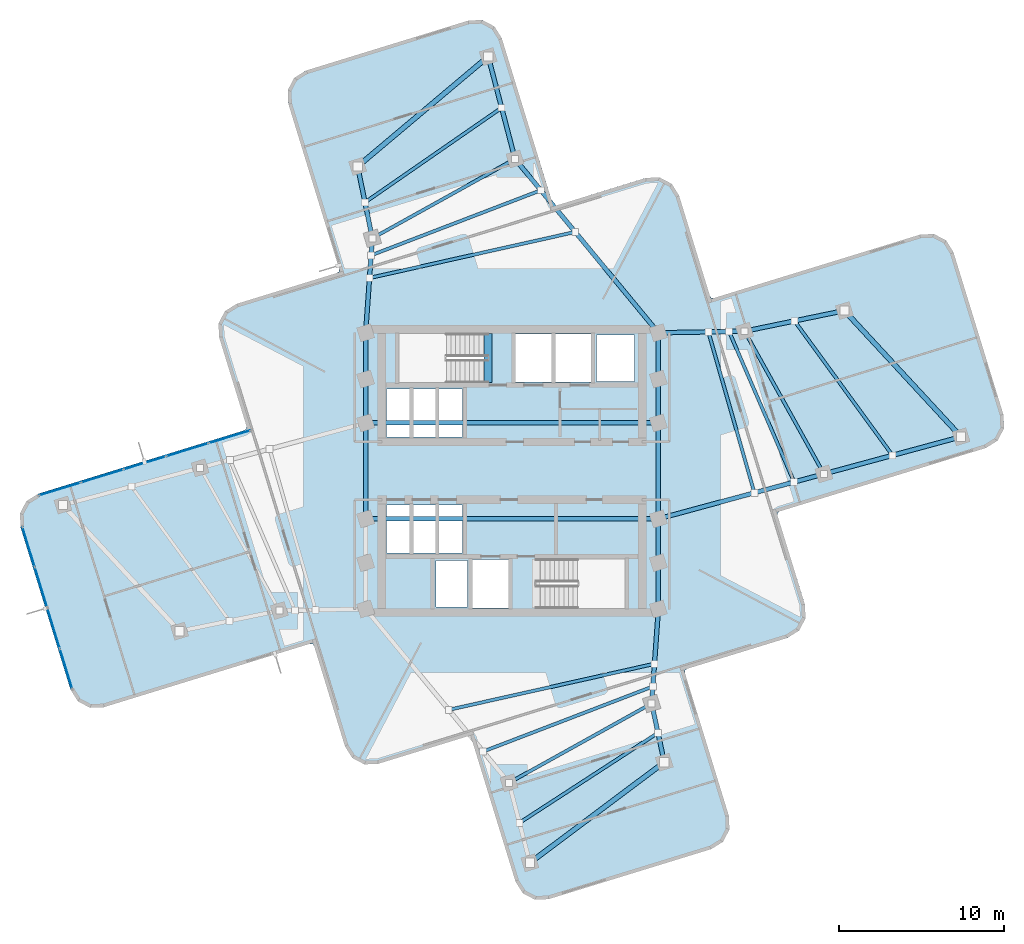
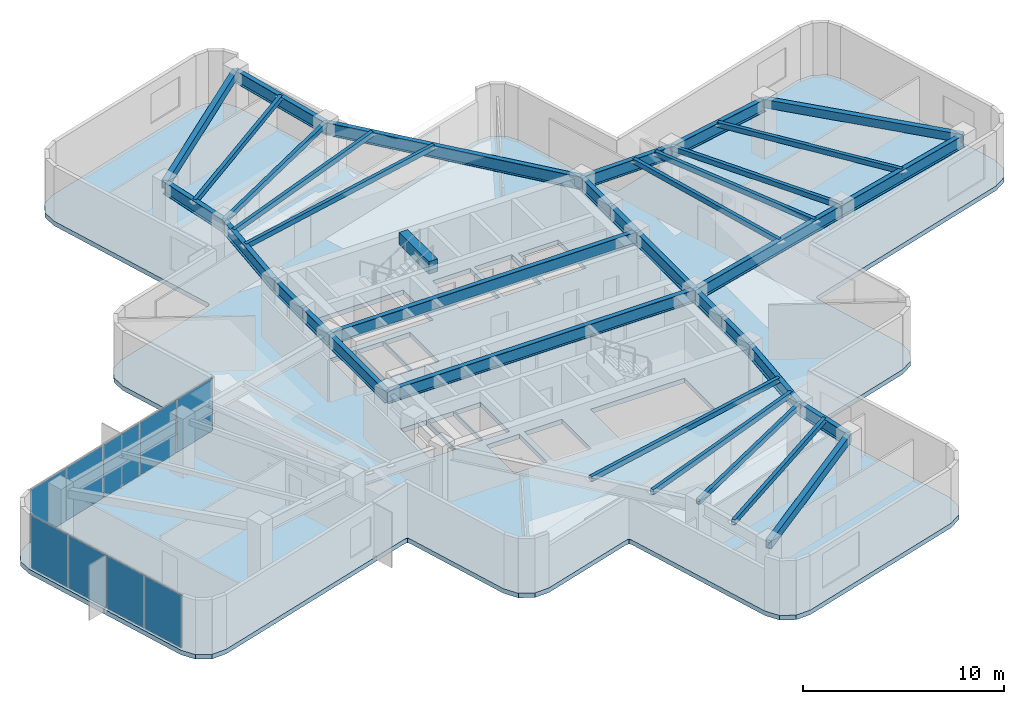
# One storey, part 4 of 10: 36 beams, 9 plates, 1 slab, 2 elements without a shape of their own.
"""IFC4 building model written with IfcOpenShell, lengths in metres."""

from ifc_helpers import new_model, si_unit, direction, frame, origin, origin_2d, place, context, subcontext, project, spatial, polyline, rectangle, hollow_rectangle, i_section, outline, extrude, material, layer, layer_set, material_profile, profile_set, type_object, element, aggregate, save


model = new_model("IFC4")

# Units and contexts
model_context = context("Model", 3, precision=1e-05, world=origin(), true_north=direction((0.0, 1.0)))
body_context = subcontext(model_context, "Body", "Model", "MODEL_VIEW")
ifc_project = project(units=[si_unit("LENGTHUNIT", "METRE"), si_unit("AREAUNIT", "SQUARE_METRE"), si_unit("VOLUMEUNIT", "CUBIC_METRE"), si_unit("PLANEANGLEUNIT", "RADIAN"), si_unit("MASSUNIT", "GRAM", prefix="KILO")], contexts=[model_context])

# Site, building, storey
site_placement = place(None, origin())
site = spatial("IfcSite", under=ifc_project, at=site_placement, CompositionType="ELEMENT")
building_placement = place(site_placement, origin())
building = spatial("IfcBuilding", under=site, at=building_placement, Name="Solmarez Civic Tower", CompositionType="ELEMENT")
storey_placement = place(building_placement, frame((0.0, 0.0, 148.679931640625)))
storey = spatial("IfcBuildingStorey", under=building, at=storey_placement, Name="L39", CompositionType="ELEMENT", Elevation=148.679931640625)

# Beams
ifc_material_1 = material(Name="Steel S355", Category="steel")
ifc_material_profile_1 = material_profile(ifc_material_1, hollow_rectangle(XDim=0.199951171875, YDim=0.300048828125, WallThickness=0.011962890625, at=origin_2d()), Name="HSS300X200X12")
ifc_profile_set_1 = profile_set([ifc_material_profile_1], Name="Steel S355")
beam_type_1 = type_object("IfcBeamType", Name="BM-JS-HSS300X200", PredefinedType="JOIST", material=ifc_profile_set_1)
beam_1_placement = place(storey_placement, frame((18.860107421875, -0.18310546875, 3.170166015625), z_axis=(-0.485852902718, 0.874040592261, 0.0), x_axis=(-0.874040592261, -0.485852902718, 0.0)))
element("IfcBeam", 1, at=beam_1_placement, inside=storey, type_object=beam_type_1, Name="L39 Secondary Floor Joist BM-L39-EA-T1", PredefinedType="JOIST", context=body_context, shape_type="SweptSolid", body=[
    extrude(hollow_rectangle(XDim=0.199951171875, YDim=0.300048828125, WallThickness=0.011962890625, at=origin_2d()), origin(), (0.0, 0.0, 1.0), 9.87158203125),
])
beam_2_placement = place(storey_placement, frame((23.006103515625, 0.94091796875, 3.170166015625), z_axis=(-0.589058914091, 0.808090091345, 0.0), x_axis=(-0.808090091345, -0.589058914091, 0.0)))
element("IfcBeam", 2, at=beam_2_placement, inside=storey, type_object=beam_type_1, Name="L39 Secondary Floor Joist JS-L39-EA-M2", PredefinedType="JOIST", context=body_context, shape_type="SweptSolid", body=[
    extrude(hollow_rectangle(XDim=0.199951171875, YDim=0.300048828125, WallThickness=0.011962890625, at=origin_2d()), origin(), (0.0, 0.0, 1.0), 10.05859375),
])
beam_3_placement = place(storey_placement, frame((14.656005859375, -1.323974609375, 3.170166015625), z_axis=(-0.27492825036, 0.961464745664, 0.0), x_axis=(-0.961464745664, -0.27492825036, 0.0)))
element("IfcBeam", 3, at=beam_3_placement, inside=storey, type_object=beam_type_1, Name="L39 Secondary Floor Joist JS-L39-EA-M11", PredefinedType="JOIST", context=body_context, shape_type="SweptSolid", body=[
    extrude(hollow_rectangle(XDim=0.199951171875, YDim=0.300048828125, WallThickness=0.011962890625, at=origin_2d()), origin(), (0.0, 0.0, 1.0), 10.118896484375),
])
beam_4_placement = place(storey_placement, frame((17.05810546875, -0.672119140625, 3.170166015625), z_axis=(-0.396735074316, 0.917933157048, 0.0), x_axis=(-0.917933157048, -0.396735074316, 0.0)))
element("IfcBeam", 4, at=beam_4_placement, inside=storey, type_object=beam_type_1, Name="L39 Secondary Floor Joist JS-L39-EA-M12", PredefinedType="JOIST", context=body_context, shape_type="SweptSolid", body=[
    extrude(hollow_rectangle(XDim=0.199951171875, YDim=0.300048828125, WallThickness=0.011962890625, at=origin_2d()), origin(), (0.0, 0.0, 1.0), 9.91357421875),
])
beam_5_placement = place(storey_placement, frame((0.18310546875, 18.860107421875, 3.170166015625), z_axis=(-0.874040592261, -0.485852902718, 0.0), x_axis=(0.485852902718, -0.874040592261, 0.0)))
element("IfcBeam", 5, at=beam_5_placement, inside=storey, type_object=beam_type_1, Name="L39 Secondary Floor Joist BM-L39-NA-T1", PredefinedType="JOIST", context=body_context, shape_type="SweptSolid", body=[
    extrude(hollow_rectangle(XDim=0.199951171875, YDim=0.300048828125, WallThickness=0.011962890625, at=origin_2d()), origin(), (0.0, 0.0, 1.0), 9.87158203125),
])
beam_6_placement = place(storey_placement, frame((-0.626953125, 21.9560546875, 3.170166015625), z_axis=(-0.822185194468, -0.56922008573, 0.0), x_axis=(0.56922008573, -0.822185194468, 0.0)))
element("IfcBeam", 6, at=beam_6_placement, inside=storey, type_object=beam_type_1, Name="L39 Secondary Floor Joist JS-L39-NA-M2", PredefinedType="JOIST", context=body_context, shape_type="SweptSolid", body=[
    extrude(hollow_rectangle(XDim=0.199951171875, YDim=0.300048828125, WallThickness=0.011962890625, at=origin_2d()), origin(), (0.0, 0.0, 1.0), 10.048828125),
])
beam_7_placement = place(storey_placement, frame((3.822998046875, 14.446044921875, 3.170166015625), z_axis=(-0.975887310906, -0.218274955988, 0.0), x_axis=(0.218274955988, -0.975887310906, 0.0)))
element("IfcBeam", 7, at=beam_7_placement, inside=storey, type_object=beam_type_1, Name="L39 Secondary Floor Joist JS-L39-NA-M11", PredefinedType="JOIST", context=body_context, shape_type="SweptSolid", body=[
    extrude(hollow_rectangle(XDim=0.199951171875, YDim=0.300048828125, WallThickness=0.011962890625, at=origin_2d()), origin(), (0.0, 0.0, 1.0), 12.745361328125),
])
beam_8_placement = place(storey_placement, frame((1.742919921875, 16.968017578125, 3.170166015625), z_axis=(-0.933754408709, -0.357914381125, 0.0), x_axis=(0.357914381125, -0.933754408709, 0.0)))
element("IfcBeam", 8, at=beam_8_placement, inside=storey, type_object=beam_type_1, Name="L39 Secondary Floor Joist JS-L39-NA-M12", PredefinedType="JOIST", context=body_context, shape_type="SweptSolid", body=[
    extrude(hollow_rectangle(XDim=0.199951171875, YDim=0.300048828125, WallThickness=0.011962890625, at=origin_2d()), origin(), (0.0, 0.0, 1.0), 10.989013671875),
])
beam_9_placement = place(storey_placement, frame((-0.18310546875, -18.860107421875, 3.170166015625), z_axis=(0.874040592261, 0.485852902718, 0.0), x_axis=(-0.485852902718, 0.874040592261, 0.0)))
element("IfcBeam", 9, at=beam_9_placement, inside=storey, type_object=beam_type_1, Name="L39 Secondary Floor Joist BM-L39-SA-T1", PredefinedType="JOIST", context=body_context, shape_type="SweptSolid", body=[
    extrude(hollow_rectangle(XDim=0.199951171875, YDim=0.300048828125, WallThickness=0.011962890625, at=origin_2d()), origin(), (0.0, 0.0, 1.0), 9.87158203125),
])
beam_10_placement = place(storey_placement, frame((0.449951171875, -21.279052734375, 3.170166015625), z_axis=(0.83864684805, 0.54467555871, 0.0), x_axis=(-0.54467555871, 0.83864684805, 0.0)))
element("IfcBeam", 10, at=beam_10_placement, inside=storey, type_object=beam_type_1, Name="L39 Secondary Floor Joist JS-L39-SA-M2", PredefinedType="JOIST", context=body_context, shape_type="SweptSolid", body=[
    extrude(hollow_rectangle(XDim=0.199951171875, YDim=0.300048828125, WallThickness=0.011962890625, at=origin_2d()), origin(), (0.0, 0.0, 1.0), 9.987548828125),
])
beam_11_placement = place(storey_placement, frame((-3.822998046875, -14.446044921875, 3.170166015625), z_axis=(0.975887310906, 0.218274955988, 0.0), x_axis=(-0.218274955988, 0.975887310906, 0.0)))
element("IfcBeam", 11, at=beam_11_placement, inside=storey, type_object=beam_type_1, Name="L39 Secondary Floor Joist JS-L39-SA-M11", PredefinedType="JOIST", context=body_context, shape_type="SweptSolid", body=[
    extrude(hollow_rectangle(XDim=0.199951171875, YDim=0.300048828125, WallThickness=0.011962890625, at=origin_2d()), origin(), (0.0, 0.0, 1.0), 12.745361328125),
])
beam_12_placement = place(storey_placement, frame((-1.742919921875, -16.968017578125, 3.170166015625), z_axis=(0.933754408709, 0.357914381125, 0.0), x_axis=(-0.357914381125, 0.933754408709, 0.0)))
element("IfcBeam", 12, at=beam_12_placement, inside=storey, type_object=beam_type_1, Name="L39 Secondary Floor Joist JS-L39-SA-M12", PredefinedType="JOIST", context=body_context, shape_type="SweptSolid", body=[
    extrude(hollow_rectangle(XDim=0.199951171875, YDim=0.300048828125, WallThickness=0.011962890625, at=origin_2d()), origin(), (0.0, 0.0, 1.0), 10.989013671875),
])
ifc_material_2 = material(Name="Concrete C50/60", Category="concrete")
ifc_material_profile_2 = material_profile(ifc_material_2, rectangle(XDim=0.5, YDim=0.75, at=origin_2d()), Name="RC500X750")
ifc_profile_set_2 = profile_set([ifc_material_profile_2], Name="Concrete C50/60")
beam_type_2 = type_object("IfcBeamType", Name="BM-PR-RC500X750", PredefinedType="BEAM", material=ifc_profile_set_2)
beam_13_placement = place(storey_placement, frame((-1.449951171875, 5.340087890625, 3.233154296875), z_axis=(0.0, 1.0, 0.0), x_axis=(-1.0, 0.0, 0.0)))
element("IfcBeam", 13, at=beam_13_placement, inside=storey, type_object=beam_type_2, Name="L39 North Stair Threshold Beam", PredefinedType="BEAM", context=body_context, shape_type="SweptSolid", body=[
    extrude(rectangle(XDim=0.5, YDim=0.75, at=origin_2d()), origin(), (0.0, 0.0, 1.0), 2.9599609375),
])
ifc_material_profile_3 = material_profile(ifc_material_1, i_section(OverallWidth=0.26708984375, OverallDepth=0.761962890625, WebThickness=0.014404296875, FlangeThickness=0.021484375, at=origin_2d()), Name="W30X116")
ifc_profile_set_3 = profile_set([ifc_material_profile_3], Name="Steel S355")
beam_type_3 = type_object("IfcBeamType", Name="BM-PR-W30X116", PredefinedType="BEAM", material=ifc_profile_set_3)
beam_14_placement = place(storey_placement, frame((-8.85009765625, -2.89990234375, 2.93896484375), z_axis=(0.0, 1.0, 0.0), x_axis=(-1.0, 0.0, 0.0)))
element("IfcBeam", 14, at=beam_14_placement, inside=storey, type_object=beam_type_3, Name="L39 Primary Floor Beam BM-L39-HC2-HC3", PredefinedType="BEAM", context=body_context, shape_type="SweptSolid", body=[
    extrude(i_section(OverallWidth=0.26708984375, OverallDepth=0.761962890625, WebThickness=0.014404296875, FlangeThickness=0.021484375, at=origin_2d()), origin(), (0.0, 0.0, 1.0), 5.7998046875),
])
beam_15_placement = place(storey_placement, frame((-8.85009765625, 2.89990234375, 2.93896484375), z_axis=(0.0, 1.0, 0.0), x_axis=(-1.0, 0.0, 0.0)))
element("IfcBeam", 15, at=beam_15_placement, inside=storey, type_object=beam_type_3, Name="L39 Primary Floor Beam BM-L39-HC3-HC4", PredefinedType="BEAM", context=body_context, shape_type="SweptSolid", body=[
    extrude(i_section(OverallWidth=0.26708984375, OverallDepth=0.761962890625, WebThickness=0.014404296875, FlangeThickness=0.021484375, at=origin_2d()), origin(), (0.0, 0.0, 1.0), 2.650146484375),
])
for number, where, z_axis, x_axis, name in (
    (16, (-8.85009765625, 5.550048828125, 2.93896484375), (0.0, 1.0, 0.0), (-1.0, 0.0, 0.0), "L39 Primary Floor Beam BM-L39-HC4-HC9"),
    (17, (8.85009765625, -8.35009765625, 2.93896484375), (0.0, 1.0, 0.0), (-1.0, 0.0, 0.0), "L39 Primary Floor Beam BM-L39-HC10-HC5"),
):
    element("IfcBeam", number, at=place(storey_placement, frame(where, z_axis=z_axis, x_axis=x_axis)), inside=storey, type_object=beam_type_3, Name=name, PredefinedType="BEAM", context=body_context, shape_type="SweptSolid", body=[
        extrude(i_section(OverallWidth=0.26708984375, OverallDepth=0.761962890625, WebThickness=0.014404296875, FlangeThickness=0.021484375, at=origin_2d()), origin(), (0.0, 0.0, 1.0), 2.800048828125),
    ])
beam_16_placement = place(storey_placement, frame((8.85009765625, -5.550048828125, 2.93896484375), z_axis=(0.0, 1.0, 0.0), x_axis=(-1.0, 0.0, 0.0)))
element("IfcBeam", 18, at=beam_16_placement, inside=storey, type_object=beam_type_3, Name="L39 Primary Floor Beam BM-L39-HC5-HC6", PredefinedType="BEAM", context=body_context, shape_type="SweptSolid", body=[
    extrude(i_section(OverallWidth=0.26708984375, OverallDepth=0.761962890625, WebThickness=0.014404296875, FlangeThickness=0.021484375, at=origin_2d()), origin(), (0.0, 0.0, 1.0), 2.650146484375),
])
beam_17_placement = place(storey_placement, frame((8.85009765625, -2.89990234375, 2.93896484375), z_axis=(0.0, 1.0, 0.0), x_axis=(-1.0, 0.0, 0.0)))
element("IfcBeam", 19, at=beam_17_placement, inside=storey, type_object=beam_type_3, Name="L39 Primary Floor Beam BM-L39-HC6-HC7", PredefinedType="BEAM", context=body_context, shape_type="SweptSolid", body=[
    extrude(i_section(OverallWidth=0.26708984375, OverallDepth=0.761962890625, WebThickness=0.014404296875, FlangeThickness=0.021484375, at=origin_2d()), origin(), (0.0, 0.0, 1.0), 5.7998046875),
])
beam_18_placement = place(storey_placement, frame((8.85009765625, 2.89990234375, 2.93896484375), z_axis=(0.0, 1.0, 0.0), x_axis=(-1.0, 0.0, 0.0)))
element("IfcBeam", 20, at=beam_18_placement, inside=storey, type_object=beam_type_3, Name="L39 Primary Floor Beam BM-L39-HC7-HC8", PredefinedType="BEAM", context=body_context, shape_type="SweptSolid", body=[
    extrude(i_section(OverallWidth=0.26708984375, OverallDepth=0.761962890625, WebThickness=0.014404296875, FlangeThickness=0.021484375, at=origin_2d()), origin(), (0.0, 0.0, 1.0), 2.650146484375),
])
beam_19_placement = place(storey_placement, frame((8.85009765625, 5.550048828125, 2.93896484375), z_axis=(0.0, 1.0, 0.0), x_axis=(-1.0, 0.0, 0.0)))
element("IfcBeam", 21, at=beam_19_placement, inside=storey, type_object=beam_type_3, Name="L39 Primary Floor Beam BM-L39-HC8-HC11", PredefinedType="BEAM", context=body_context, shape_type="SweptSolid", body=[
    extrude(i_section(OverallWidth=0.26708984375, OverallDepth=0.761962890625, WebThickness=0.014404296875, FlangeThickness=0.021484375, at=origin_2d()), origin(), (0.0, 0.0, 1.0), 2.800048828125),
])
for number, where, z_axis, x_axis, name in (
    (22, (-8.85009765625, -2.89990234375, 2.93896484375), (1.0, 0.0, 0.0), (0.0, 1.0, 0.0), "L39 Primary Floor Beam BM-L39-HC2-HC6"),
    (23, (-8.85009765625, 2.89990234375, 2.93896484375), (1.0, 0.0, 0.0), (0.0, 1.0, 0.0), "L39 Primary Floor Beam BM-L39-HC3-HC7"),
):
    element("IfcBeam", number, at=place(storey_placement, frame(where, z_axis=z_axis, x_axis=x_axis)), inside=storey, type_object=beam_type_3, Name=name, PredefinedType="BEAM", context=body_context, shape_type="SweptSolid", body=[
        extrude(i_section(OverallWidth=0.26708984375, OverallDepth=0.761962890625, WebThickness=0.014404296875, FlangeThickness=0.021484375, at=origin_2d()), origin(), (0.0, 0.0, 1.0), 17.7001953125),
    ])
beam_20_placement = place(storey_placement, frame((8.85009765625, -2.89990234375, 2.93896484375), z_axis=(0.965086289853, 0.261932153691, 0.0), x_axis=(-0.261932153691, 0.965086289853, 0.0)))
element("IfcBeam", 24, at=beam_20_placement, inside=storey, type_object=beam_type_3, Name="L39 Primary Floor Beam BM-L39-EA-R1A", PredefinedType="BEAM", context=body_context, shape_type="SweptSolid", body=[
    extrude(i_section(OverallWidth=0.26708984375, OverallDepth=0.761962890625, WebThickness=0.014404296875, FlangeThickness=0.021484375, at=origin_2d()), origin(), (0.0, 0.0, 1.0), 10.3720703125),
])
beam_21_placement = place(storey_placement, frame((8.85009765625, 8.35009765625, 2.93896484375), z_axis=(0.999834147765, 0.018212000538, 0.0), x_axis=(-0.018212000538, 0.999834147765, 0.0)))
element("IfcBeam", 25, at=beam_21_placement, inside=storey, type_object=beam_type_3, Name="L39 Primary Floor Beam BM-L39-EA-R1B", PredefinedType="BEAM", context=body_context, shape_type="SweptSolid", body=[
    extrude(i_section(OverallWidth=0.26708984375, OverallDepth=0.761962890625, WebThickness=0.014404296875, FlangeThickness=0.021484375, at=origin_2d()), origin(), (0.0, 0.0, 1.0), 5.21484375),
])
beam_22_placement = place(storey_placement, frame((18.860107421875, -0.18310546875, 2.93896484375), z_axis=(0.965195296066, 0.261530190326, 0.0), x_axis=(-0.261530190326, 0.965195296066, 0.0)))
element("IfcBeam", 26, at=beam_22_placement, inside=storey, type_object=beam_type_3, Name="L39 Primary Floor Beam BM-L39-EA-R2A", PredefinedType="BEAM", context=body_context, shape_type="SweptSolid", body=[
    extrude(i_section(OverallWidth=0.26708984375, OverallDepth=0.761962890625, WebThickness=0.014404296875, FlangeThickness=0.021484375, at=origin_2d()), origin(), (0.0, 0.0, 1.0), 8.592041015625),
])
beam_23_placement = place(storey_placement, frame((14.06396484375, 8.445068359375, 2.93896484375), z_axis=(0.979311082476, 0.202360578523, 0.0), x_axis=(-0.202360578523, 0.979311082476, 0.0)))
element("IfcBeam", 27, at=beam_23_placement, inside=storey, type_object=beam_type_3, Name="L39 Primary Floor Beam BM-L39-EA-R2B", PredefinedType="BEAM", context=body_context, shape_type="SweptSolid", body=[
    extrude(i_section(OverallWidth=0.26708984375, OverallDepth=0.761962890625, WebThickness=0.014404296875, FlangeThickness=0.021484375, at=origin_2d()), origin(), (0.0, 0.0, 1.0), 6.161376953125),
])
beam_24_placement = place(storey_placement, frame((8.85009765625, 8.35009765625, 2.93896484375), z_axis=(-0.636218453069, 0.77150896299, 0.0), x_axis=(-0.77150896299, -0.636218453069, 0.0)))
element("IfcBeam", 28, at=beam_24_placement, inside=storey, type_object=beam_type_3, Name="L39 Primary Floor Beam BM-L39-NA-R1A", PredefinedType="BEAM", context=body_context, shape_type="SweptSolid", body=[
    extrude(i_section(OverallWidth=0.26708984375, OverallDepth=0.761962890625, WebThickness=0.014404296875, FlangeThickness=0.021484375, at=origin_2d()), origin(), (0.0, 0.0, 1.0), 13.62255859375),
])
beam_25_placement = place(storey_placement, frame((-8.85009765625, 8.35009765625, 2.93896484375), z_axis=(0.070707897353, 0.997497064282, 0.0), x_axis=(-0.997497064282, 0.070707897353, 0.0)))
element("IfcBeam", 29, at=beam_25_placement, inside=storey, type_object=beam_type_3, Name="L39 Primary Floor Beam BM-L39-NA-R1B", PredefinedType="BEAM", context=body_context, shape_type="SweptSolid", body=[
    extrude(i_section(OverallWidth=0.26708984375, OverallDepth=0.761962890625, WebThickness=0.014404296875, FlangeThickness=0.021484375, at=origin_2d()), origin(), (0.0, 0.0, 1.0), 5.728271484375),
])
beam_26_placement = place(storey_placement, frame((0.18310546875, 18.860107421875, 2.93896484375), z_axis=(-0.25312990791, 0.967432297229, 0.0), x_axis=(-0.967432297229, -0.25312990791, 0.0)))
element("IfcBeam", 30, at=beam_26_placement, inside=storey, type_object=beam_type_3, Name="L39 Primary Floor Beam BM-L39-NA-R2A", PredefinedType="BEAM", context=body_context, shape_type="SweptSolid", body=[
    extrude(i_section(OverallWidth=0.26708984375, OverallDepth=0.761962890625, WebThickness=0.014404296875, FlangeThickness=0.021484375, at=origin_2d()), origin(), (0.0, 0.0, 1.0), 6.400390625),
])
beam_27_placement = place(storey_placement, frame((-8.445068359375, 14.06396484375, 2.93896484375), z_axis=(-0.200222099018, 0.979750535118, 0.0), x_axis=(-0.979750535118, -0.200222099018, 0.0)))
element("IfcBeam", 31, at=beam_27_placement, inside=storey, type_object=beam_type_3, Name="L39 Primary Floor Beam BM-L39-NA-R2B", PredefinedType="BEAM", context=body_context, shape_type="SweptSolid", body=[
    extrude(i_section(OverallWidth=0.26708984375, OverallDepth=0.761962890625, WebThickness=0.014404296875, FlangeThickness=0.021484375, at=origin_2d()), origin(), (0.0, 0.0, 1.0), 4.434814453125),
])
beam_28_placement = place(storey_placement, frame((8.85009765625, -8.35009765625, 2.93896484375), z_axis=(-0.070707897353, -0.997497064282, 0.0), x_axis=(0.997497064282, -0.070707897353, 0.0)))
element("IfcBeam", 32, at=beam_28_placement, inside=storey, type_object=beam_type_3, Name="L39 Primary Floor Beam BM-L39-SA-R1B", PredefinedType="BEAM", context=body_context, shape_type="SweptSolid", body=[
    extrude(i_section(OverallWidth=0.26708984375, OverallDepth=0.761962890625, WebThickness=0.014404296875, FlangeThickness=0.021484375, at=origin_2d()), origin(), (0.0, 0.0, 1.0), 5.728271484375),
])
beam_29_placement = place(storey_placement, frame((8.445068359375, -14.06396484375, 2.93896484375), z_axis=(0.210056967216, -0.977689148208, 0.0), x_axis=(0.977689148208, 0.210056967216, 0.0)))
element("IfcBeam", 33, at=beam_29_placement, inside=storey, type_object=beam_type_3, Name="L39 Primary Floor Beam BM-L39-SA-R2B", PredefinedType="BEAM", context=body_context, shape_type="SweptSolid", body=[
    extrude(i_section(OverallWidth=0.26708984375, OverallDepth=0.761962890625, WebThickness=0.014404296875, FlangeThickness=0.021484375, at=origin_2d()), origin(), (0.0, 0.0, 1.0), 3.632080078125),
])
ifc_material_profile_4 = material_profile(ifc_material_1, hollow_rectangle(XDim=0.300048828125, YDim=0.5, WallThickness=0.02001953125, at=origin_2d()), Name="HSS500X300X20")
ifc_profile_set_4 = profile_set([ifc_material_profile_4], Name="Steel S355")
beam_type_4 = type_object("IfcBeamType", Name="BM-SP-HSS500X300", PredefinedType="SPANDREL", material=ifc_profile_set_4)
beam_30_placement = place(storey_placement, frame((27.153076171875, 2.06396484375, 3.070068359375), z_axis=(-0.679007792344, 0.734131063187, 0.0), x_axis=(-0.734131063187, -0.679007792344, 0.0)))
element("IfcBeam", 34, at=beam_30_placement, inside=storey, type_object=beam_type_4, Name="L39 Perimeter Spandrel Beam BM-L39-EA-T2", PredefinedType="SPANDREL", context=body_context, shape_type="SweptSolid", body=[
    extrude(hollow_rectangle(XDim=0.300048828125, YDim=0.5, WallThickness=0.02001953125, at=origin_2d()), origin(), (0.0, 0.0, 1.0), 10.390380859375),
])
beam_31_placement = place(storey_placement, frame((-1.43701171875, 25.052001953125, 3.070068359375), z_axis=(-0.765206846446, -0.643784499777, 0.0), x_axis=(0.643784499777, -0.765206846446, 0.0)))
element("IfcBeam", 35, at=beam_31_placement, inside=storey, type_object=beam_type_4, Name="L39 Perimeter Spandrel Beam BM-L39-NA-T2", PredefinedType="SPANDREL", context=body_context, shape_type="SweptSolid", body=[
    extrude(hollow_rectangle(XDim=0.300048828125, YDim=0.5, WallThickness=0.02001953125, at=origin_2d()), origin(), (0.0, 0.0, 1.0), 10.31884765625),
])
beam_32_placement = place(storey_placement, frame((1.0830078125, -23.697021484375, 3.070068359375), z_axis=(0.800553888314, 0.599260771205, 0.0), x_axis=(-0.599260771205, 0.800553888314, 0.0)))
element("IfcBeam", 36, at=beam_32_placement, inside=storey, type_object=beam_type_4, Name="L39 Perimeter Spandrel Beam BM-L39-SA-T2", PredefinedType="SPANDREL", context=body_context, shape_type="SweptSolid", body=[
    extrude(hollow_rectangle(XDim=0.300048828125, YDim=0.5, WallThickness=0.02001953125, at=origin_2d()), origin(), (0.0, 0.0, 1.0), 10.149169921875),
])

# Curtain wall, plates
ifc_material_3 = material(Name="Bronze Anodised Aluminium EN AW-6063 T6", Category="aluminium")
ifc_layer_1 = layer(ifc_material_3, 0.175048828125)
ifc_layer_set_1 = layer_set([ifc_layer_1], Name="Bronze Anodised Aluminium EN AW-6063 T6")
curtain_wall_type = type_object("IfcCurtainWallType", Name="CW-SYS-3", PredefinedType="NOTDEFINED", material=ifc_layer_set_1)
curtain_wall_1_placement = place(storey_placement, origin())
curtain_wall_1 = element("IfcCurtainWall", 37, at=curtain_wall_1_placement, inside=storey, type_object=curtain_wall_type, Name="L39 Stick-Built Curtain Wall 1", PredefinedType="NOTDEFINED")
ifc_material_4 = material(Name="Solar Control Low-E Laminated Vision Glass", Category="glass")
ifc_layer_2 = layer(ifc_material_4, 0.035888671875)
ifc_layer_set_2 = layer_set([ifc_layer_2], Name="Solar Control Low-E Laminated Vision Glass")
plate_type = type_object("IfcPlateType", Name="CWP-GLAZ-36", PredefinedType="CURTAIN_PANEL", material=ifc_layer_set_2)
plate_1_placement = place(storey_placement, frame((-26.965087890625, -11.96142578125, 0.06005859375), z_axis=(0.0, 0.0, 1.0), x_axis=(-0.293963294064, 0.955816709282, 0.0)))
plate_1 = element("IfcPlate", 38, at=plate_1_placement, type_object=plate_type, Name="CWS3 panel 1.1", PredefinedType="CURTAIN_PANEL", context=body_context, shape_type="SweptSolid", body=[
    extrude(rectangle(XDim=2.482666015625, YDim=0.035888671875, at=origin_2d()), origin(), (0.0, 0.0, 1.0), 3.199951171875),
])
plate_2_placement = place(storey_placement, frame((-27.71875, -9.5107421875, 0.06005859375), z_axis=(0.0, 0.0, 1.0), x_axis=(-0.293963294064, 0.955816709282, 0.0)))
plate_2 = element("IfcPlate", 39, at=plate_2_placement, type_object=plate_type, Name="CWS3 panel 2.1", PredefinedType="CURTAIN_PANEL", context=body_context, shape_type="SweptSolid", body=[
    extrude(rectangle(XDim=2.51513671875, YDim=0.035888671875, at=origin_2d()), origin(), (0.0, 0.0, 1.0), 3.199951171875),
])
plate_3_placement = place(storey_placement, frame((-28.477294921875, -7.04443359375, 0.06005859375), z_axis=(0.0, 0.0, 1.0), x_axis=(-0.293963294064, 0.955816709282, 0.0)))
plate_3 = element("IfcPlate", 40, at=plate_3_placement, type_object=plate_type, Name="CWS3 panel 3.1", PredefinedType="CURTAIN_PANEL", context=body_context, shape_type="SweptSolid", body=[
    extrude(rectangle(XDim=2.51513671875, YDim=0.035888671875, at=origin_2d()), origin(), (0.0, 0.0, 1.0), 3.199951171875),
])
plate_4_placement = place(storey_placement, frame((-29.23095703125, -4.59375, 0.06005859375), z_axis=(0.0, 0.0, 1.0), x_axis=(-0.293963294064, 0.955816709282, 0.0)))
plate_4 = element("IfcPlate", 41, at=plate_4_placement, type_object=plate_type, Name="CWS3 panel 4.1", PredefinedType="CURTAIN_PANEL", context=body_context, shape_type="SweptSolid", body=[
    extrude(rectangle(XDim=2.482666015625, YDim=0.035888671875, at=origin_2d()), origin(), (0.0, 0.0, 1.0), 3.199951171875),
])
aggregate(curtain_wall_1, [plate_1, plate_2, plate_3, plate_4])

curtain_wall_2_placement = place(storey_placement, origin())
curtain_wall_2 = element("IfcCurtainWall", 42, at=curtain_wall_2_placement, inside=storey, type_object=curtain_wall_type, Name="L39 Stick-Built Curtain Wall 2", PredefinedType="NOTDEFINED")
plate_5_placement = place(storey_placement, frame((-27.3349609375, -1.095458984375, 0.06005859375), z_axis=(0.0, 0.0, 1.0), x_axis=(0.95580310301, 0.294007530987, 0.0)))
plate_5 = element("IfcPlate", 43, at=plate_5_placement, type_object=plate_type, Name="CWS3 panel 1.1", PredefinedType="CURTAIN_PANEL", context=body_context, shape_type="SweptSolid", body=[
    extrude(rectangle(XDim=2.59423828125, YDim=0.035888671875, at=origin_2d()), origin(), (0.0, 0.0, 1.0), 3.199951171875),
])
plate_6_placement = place(storey_placement, frame((-24.77783203125, -0.308837890625, 0.06005859375), z_axis=(0.0, 0.0, 1.0), x_axis=(0.95580310301, 0.294007530987, 0.0)))
plate_6 = element("IfcPlate", 44, at=plate_6_placement, type_object=plate_type, Name="CWS3 panel 2.1", PredefinedType="CURTAIN_PANEL", context=body_context, shape_type="SweptSolid", body=[
    extrude(rectangle(XDim=2.626708984375, YDim=0.035888671875, at=origin_2d()), origin(), (0.0, 0.0, 1.0), 3.199951171875),
])
plate_7_placement = place(storey_placement, frame((-22.205078125, 0.482421875, 0.06005859375), z_axis=(0.0, 0.0, 1.0), x_axis=(0.95580310301, 0.294007530987, 0.0)))
plate_7 = element("IfcPlate", 45, at=plate_7_placement, type_object=plate_type, Name="CWS3 panel 3.1", PredefinedType="CURTAIN_PANEL", context=body_context, shape_type="SweptSolid", body=[
    extrude(rectangle(XDim=2.626708984375, YDim=0.035888671875, at=origin_2d()), origin(), (0.0, 0.0, 1.0), 3.199951171875),
])
plate_8_placement = place(storey_placement, frame((-19.632080078125, 1.27392578125, 0.06005859375), z_axis=(0.0, 0.0, 1.0), x_axis=(0.95580310301, 0.294007530987, 0.0)))
plate_8 = element("IfcPlate", 46, at=plate_8_placement, type_object=plate_type, Name="CWS3 panel 4.1", PredefinedType="CURTAIN_PANEL", context=body_context, shape_type="SweptSolid", body=[
    extrude(rectangle(XDim=2.626708984375, YDim=0.035888671875, at=origin_2d()), origin(), (0.0, 0.0, 1.0), 3.199951171875),
])
plate_9_placement = place(storey_placement, frame((-17.074951171875, 2.060546875, 0.06005859375), z_axis=(0.0, 0.0, 1.0), x_axis=(0.95580310301, 0.294007530987, 0.0)))
plate_9 = element("IfcPlate", 47, at=plate_9_placement, type_object=plate_type, Name="CWS3 panel 5.1", PredefinedType="CURTAIN_PANEL", context=body_context, shape_type="SweptSolid", body=[
    extrude(rectangle(XDim=2.59423828125, YDim=0.035888671875, at=origin_2d()), origin(), (0.0, 0.0, 1.0), 3.199951171875),
])
aggregate(curtain_wall_2, [plate_5, plate_6, plate_7, plate_8, plate_9])

# Slab
ifc_layer_3 = layer(ifc_material_2, 0.280029296875)
ifc_layer_set_3 = layer_set([ifc_layer_3], Name="Concrete C50/60")
slab_type = type_object("IfcSlabType", Name="SLAB-TOWER-280", PredefinedType="FLOOR", material=ifc_layer_set_3)
slab_placement = place(storey_placement, frame((0.0, 0.0, -0.280029296875)))
element("IfcSlab", 48, at=slab_placement, inside=storey, type_object=slab_type, Name="L39 Structural Slab", PredefinedType="FLOOR", context=body_context, shape_type="SweptSolid", body=[
    extrude(outline(polyline([(-11.962890625, -10.596923828125), (-10.09912109375, -16.656005859375), (-9.658935546875, -17.35693359375), (-8.927001953125, -17.7451171875), (-8.09912109375, -17.715087890625), (-2.708984375, -16.055908203125), (-2.537109375, -16.050048828125), (-2.446044921875, -16.196044921875), (0.2119140625, -24.8359375), (0.652099609375, -25.537109375), (1.384033203125, -25.925048828125), (2.2119140625, -25.89404296875), (12.055908203125, -22.865966796875), (12.758056640625, -22.426025390625), (13.14599609375, -21.694091796875), (13.114990234375, -20.865966796875), (10.45703125, -12.22607421875), (10.450927734375, -12.053955078125), (10.596923828125, -11.962890625), (16.656005859375, -10.09912109375), (17.35693359375, -9.658935546875), (17.7451171875, -8.927001953125), (17.715087890625, -8.09912109375), (16.055908203125, -2.708984375), (16.050048828125, -2.537109375), (16.196044921875, -2.446044921875), (28.658935546875, 1.387939453125), (29.360107421875, 1.827880859375), (29.748046875, 2.56005859375), (29.718017578125, 3.387939453125), (26.68896484375, 13.23291015625), (26.2490234375, 13.93408203125), (25.51708984375, 14.322021484375), (24.68896484375, 14.291015625), (12.22607421875, 10.45703125), (12.053955078125, 10.450927734375), (11.962890625, 10.596923828125), (10.09912109375, 16.656005859375), (9.658935546875, 17.35693359375), (8.927001953125, 17.7451171875), (8.09912109375, 17.715087890625), (2.708984375, 16.055908203125), (2.537109375, 16.050048828125), (2.446044921875, 16.196044921875), (-0.6240234375, 26.174072265625), (-1.06396484375, 26.875), (-1.7958984375, 27.262939453125), (-2.623046875, 27.23193359375), (-12.468017578125, 24.2041015625), (-13.169921875, 23.763916015625), (-13.556884765625, 23.031982421875), (-13.527099609375, 22.2041015625), (-10.45703125, 12.22607421875), (-10.450927734375, 12.053955078125), (-10.596923828125, 11.962890625), (-16.656005859375, 10.09912109375), (-17.35693359375, 9.658935546875), (-17.7451171875, 8.927001953125), (-17.715087890625, 8.09912109375), (-16.055908203125, 2.708984375), (-16.050048828125, 2.537109375), (-16.196044921875, 2.446044921875), (-28.658935546875, -1.387939453125), (-29.360107421875, -1.827880859375), (-29.748046875, -2.56005859375), (-29.718017578125, -3.387939453125), (-26.68896484375, -13.23291015625), (-26.2490234375, -13.93408203125), (-25.51708984375, -14.322021484375), (-24.68896484375, -14.291015625), (-12.22607421875, -10.45703125), (-12.053955078125, -10.450927734375), (-11.962890625, -10.596923828125)]), holes=[polyline([(-1.449951171875, 8.320068359375), (-6.85009765625, 8.320068359375), (-6.85009765625, 5.320068359375), (-1.449951171875, 5.320068359375), (-1.449951171875, 8.320068359375)]), polyline([(1.449951171875, -8.320068359375), (6.85009765625, -8.320068359375), (6.85009765625, -5.320068359375), (1.449951171875, -5.320068359375), (1.449951171875, -8.320068359375)]), polyline([(0.219970703125, 5.360107421875), (2.3798828125, 5.360107421875), (2.3798828125, 8.280029296875), (0.219970703125, 8.280029296875), (0.219970703125, 5.360107421875)]), polyline([(2.6201171875, 5.360107421875), (4.780029296875, 5.360107421875), (4.780029296875, 8.280029296875), (2.6201171875, 8.280029296875), (2.6201171875, 5.360107421875)]), polyline([(-2.3798828125, -8.280029296875), (-0.219970703125, -8.280029296875), (-0.219970703125, -5.360107421875), (-2.3798828125, -5.360107421875), (-2.3798828125, -8.280029296875)]), polyline([(-7.60009765625, -4.9599609375), (-6.1201171875, -4.9599609375), (-6.1201171875, -2.06005859375), (-7.60009765625, -2.06005859375), (-7.60009765625, -4.9599609375)]), polyline([(-6.0400390625, -4.9599609375), (-4.56005859375, -4.9599609375), (-4.56005859375, -2.06005859375), (-6.0400390625, -2.06005859375), (-6.0400390625, -4.9599609375)]), polyline([(-4.47998046875, -4.9599609375), (-3.0, -4.9599609375), (-3.0, -2.06005859375), (-4.47998046875, -2.06005859375), (-4.47998046875, -4.9599609375)]), polyline([(-7.60009765625, 2.06005859375), (-6.1201171875, 2.06005859375), (-6.1201171875, 4.9599609375), (-7.60009765625, 4.9599609375), (-7.60009765625, 2.06005859375)]), polyline([(-6.0400390625, 2.06005859375), (-4.56005859375, 2.06005859375), (-4.56005859375, 4.9599609375), (-6.0400390625, 4.9599609375), (-6.0400390625, 2.06005859375)]), polyline([(-4.47998046875, 2.06005859375), (-3.0, 2.06005859375), (-3.0, 4.9599609375), (-4.47998046875, 4.9599609375), (-4.47998046875, 2.06005859375)]), polyline([(5.10009765625, 5.419921875), (7.39990234375, 5.419921875), (7.39990234375, 8.219970703125), (5.10009765625, 8.219970703125), (5.10009765625, 5.419921875)]), polyline([(-4.60009765625, -8.219970703125), (-2.699951171875, -8.219970703125), (-2.699951171875, -5.419921875), (-4.60009765625, -5.419921875), (-4.60009765625, -8.219970703125)])]), origin(), (0.0, 0.0, 1.0), 0.280029296875),
])

save(model, "model.ifc")
